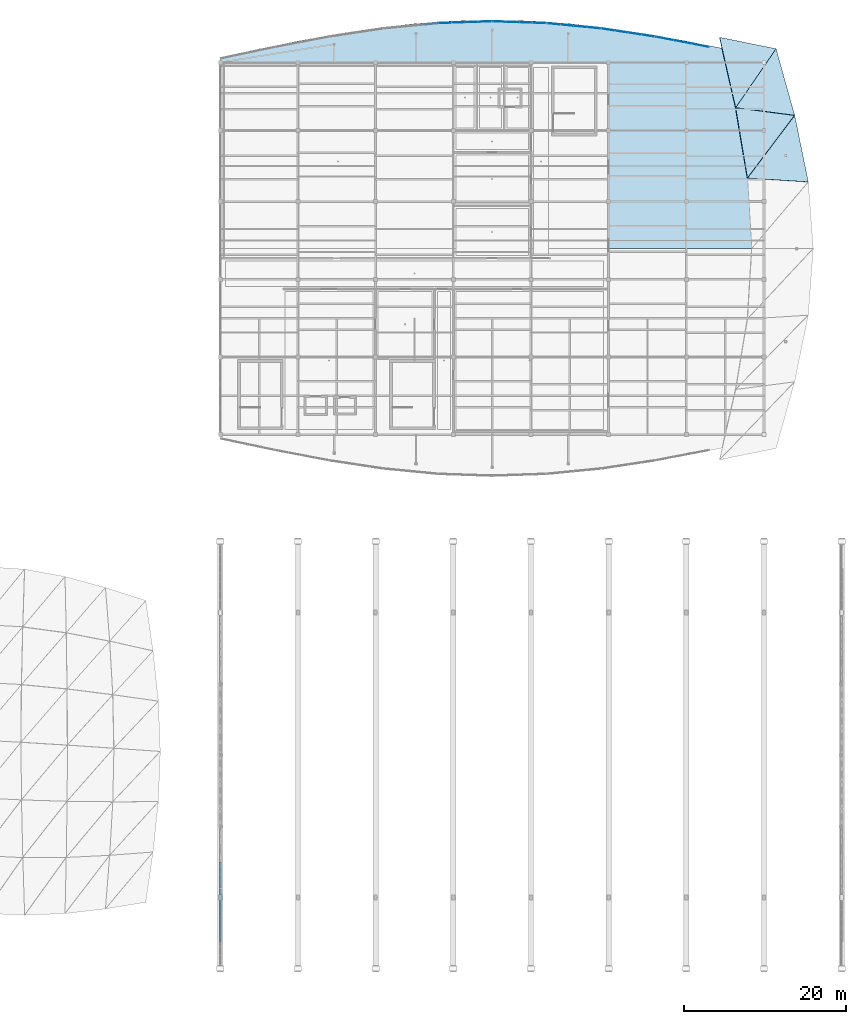
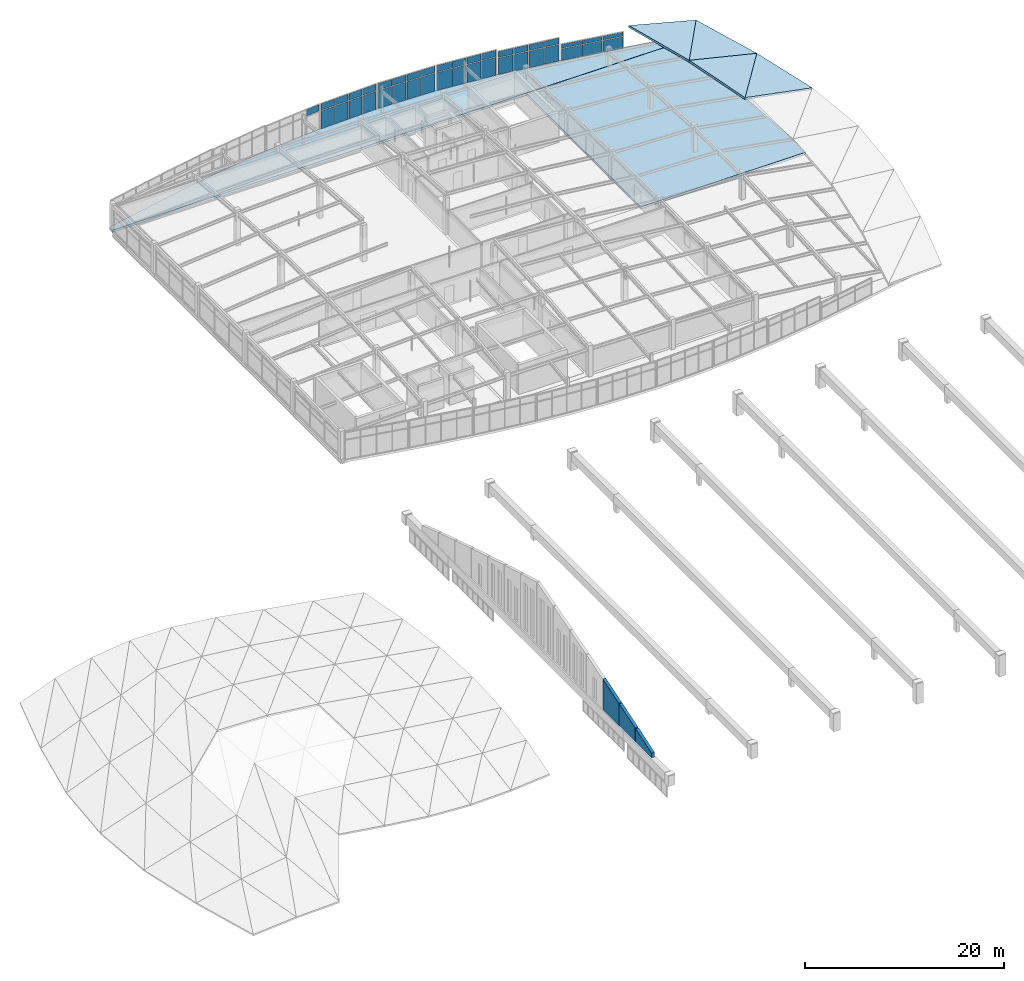
# One storey, part 57 of 65: 39 plates, 6 slabs, 3 walls, 6 elements without a shape of their own.
"""IFC4 building model written with IfcOpenShell, lengths in metres."""

from ifc_helpers import new_model, si_unit, direction, frame, origin, origin_2d, place, context, subcontext, project, spatial, polyline, rectangle, outline, extrude, material, layer, layer_set, type_object, element, aggregate, save


model = new_model("IFC4")

# Units and contexts
model_context = context("Model", 3, precision=1e-05, world=origin(), true_north=direction((0.0, 1.0)))
body_context = subcontext(model_context, "Body", "Model", "MODEL_VIEW")
ifc_project = project(units=[si_unit("LENGTHUNIT", "METRE"), si_unit("AREAUNIT", "SQUARE_METRE"), si_unit("VOLUMEUNIT", "CUBIC_METRE"), si_unit("PLANEANGLEUNIT", "RADIAN"), si_unit("MASSUNIT", "GRAM", prefix="KILO")], contexts=[model_context])

# Site, building, storey
site_placement = place(None, origin())
site = spatial("IfcSite", under=ifc_project, at=site_placement, CompositionType="ELEMENT")
building_placement = place(site_placement, origin())
building = spatial("IfcBuilding", under=site, at=building_placement, Name="Chalmorin Arch Market", CompositionType="ELEMENT")
storey_placement = place(building_placement, frame((0.0, 0.0, 14.10009765625)))
storey = spatial("IfcBuildingStorey", under=building, at=storey_placement, Name="L03", CompositionType="ELEMENT", Elevation=14.10009765625)

# Slab
ifc_material_1 = material(Name="Concrete C40/50", Category="concrete")
ifc_layer_1 = layer(ifc_material_1, 0.300048828125)
ifc_layer_set_1 = layer_set([ifc_layer_1], Name="Concrete C40/50")
slab_type_1 = type_object("IfcSlabType", Name="RoofGardenDeckSlab-300", PredefinedType="FLOOR", material=ifc_layer_set_1)
slab_1_placement = place(storey_placement, frame((0.0, 0.0, -0.300048828125)))
element("IfcSlab", 1, at=slab_1_placement, inside=storey, type_object=slab_type_1, Name="ETS-300-125", PredefinedType="FLOOR", context=body_context, shape_type="SweptSolid", body=[
    extrude(outline(polyline([(96.02001953125, 95.010009765625), (115.179931640625, 95.010009765625), (115.179931640625, 118.0), (96.02001953125, 118.0), (96.02001953125, 95.010009765625)])), origin(), (0.0, 0.0, 1.0), 0.300048828125),
])

# Curtain wall, plate
ifc_material_2 = material(Name="Aluminium 6063-T6", Category="aluminium")
ifc_layer_2 = layer(ifc_material_2, 0.159912109375)
ifc_layer_set_2 = layer_set([ifc_layer_2], Name="Aluminium 6063-T6")
curtain_wall_type_1 = type_object("IfcCurtainWallType", Name="CulinaryStudioCurtainWall-CW3-6570x3230", PredefinedType="NOTDEFINED", material=ifc_layer_set_2)
curtain_wall_1_placement = place(storey_placement, origin())
curtain_wall_1 = element("IfcCurtainWall", 2, at=curtain_wall_1_placement, inside=storey, type_object=curtain_wall_type_1, Name="CW-03-132", PredefinedType="NOTDEFINED")
ifc_material_3 = material(Name="Powder-coated Aluminium Panel", Category="aluminium")
ifc_layer_3 = layer(ifc_material_3, 0.0400390625)
ifc_layer_set_3 = layer_set([ifc_layer_3], Name="Powder-coated Aluminium Panel")
plate_type_1 = type_object("IfcPlateType", Name="ShadowboxSpandrelPanel-40", PredefinedType="CURTAIN_PANEL", material=ifc_layer_set_3)
plate_1_placement = place(storey_placement, frame((73.972900390625, 122.7666015625, 2.3505859375), z_axis=(0.0, 0.0, 1.0), x_axis=(0.994521895368, 0.104528463268, 0.0)))
plate_1 = element("IfcPlate", 3, at=plate_1_placement, type_object=plate_type_1, Name="SP-40-132-04B", PredefinedType="CURTAIN_PANEL", context=body_context, shape_type="SweptSolid", body=[
    extrude(rectangle(XDim=1.56298828125, YDim=0.0400390625, at=origin_2d()), origin(), (0.0, 0.0, 1.0), 0.789306640625),
])
aggregate(curtain_wall_1, [plate_1])

# Curtain wall, plates
ifc_layer_4 = layer(ifc_material_2, 0.159912109375)
ifc_layer_set_4 = layer_set([ifc_layer_4], Name="Aluminium 6063-T6")
curtain_wall_type_2 = type_object("IfcCurtainWallType", Name="CulinaryStudioCurtainWall-CW3-6540x3220", PredefinedType="NOTDEFINED", material=ifc_layer_set_4)
curtain_wall_2_placement = place(storey_placement, origin())
curtain_wall_2 = element("IfcCurtainWall", 4, at=curtain_wall_2_placement, inside=storey, type_object=curtain_wall_type_2, Name="CW-03-135", PredefinedType="NOTDEFINED")
plate_2_placement = place(storey_placement, frame((75.787353515625, 122.885498046875, 2.34326171875), z_axis=(0.0, 0.0, 1.0), x_axis=(0.999390827019, 0.034899496703, 0.0)))
plate_2 = element("IfcPlate", 5, at=plate_2_placement, type_object=plate_type_1, Name="SP-40-135-01B", PredefinedType="CURTAIN_PANEL", context=body_context, shape_type="SweptSolid", body=[
    extrude(rectangle(XDim=1.555908203125, YDim=0.0400390625, at=origin_2d()), origin(), (0.0, 0.0, 1.0), 0.78662109375),
])
plate_3_placement = place(storey_placement, frame((77.422607421875, 122.940185546875, 2.34326171875), z_axis=(0.0, 0.0, 1.0), x_axis=(0.999390827019, 0.034899496703, 0.0)))
plate_3 = element("IfcPlate", 6, at=plate_3_placement, type_object=plate_type_1, Name="SP-40-135-02B", PredefinedType="CURTAIN_PANEL", context=body_context, shape_type="SweptSolid", body=[
    extrude(rectangle(XDim=1.555908203125, YDim=0.0400390625, at=origin_2d()), origin(), (0.0, 0.0, 1.0), 0.78662109375),
])
plate_4_placement = place(storey_placement, frame((79.0576171875, 122.994873046875, 2.34326171875), z_axis=(0.0, 0.0, 1.0), x_axis=(0.999390827019, 0.034899496703, 0.0)))
plate_4 = element("IfcPlate", 7, at=plate_4_placement, type_object=plate_type_1, Name="SP-40-135-03B", PredefinedType="CURTAIN_PANEL", context=body_context, shape_type="SweptSolid", body=[
    extrude(rectangle(XDim=1.555908203125, YDim=0.0400390625, at=origin_2d()), origin(), (0.0, 0.0, 1.0), 0.78662109375),
])
plate_5_placement = place(storey_placement, frame((80.692626953125, 123.049560546875, 2.34326171875), z_axis=(0.0, 0.0, 1.0), x_axis=(0.999390827019, 0.034899496703, 0.0)))
plate_5 = element("IfcPlate", 8, at=plate_5_placement, type_object=plate_type_1, Name="SP-40-135-04B", PredefinedType="CURTAIN_PANEL", context=body_context, shape_type="SweptSolid", body=[
    extrude(rectangle(XDim=1.555908203125, YDim=0.0400390625, at=origin_2d()), origin(), (0.0, 0.0, 1.0), 0.78662109375),
])

curtain_wall_3_placement = place(storey_placement, origin())
curtain_wall_3 = element("IfcCurtainWall", 9, at=curtain_wall_3_placement, inside=storey, type_object=curtain_wall_type_2, Name="CW-03-138", PredefinedType="NOTDEFINED")
plate_6_placement = place(storey_placement, frame((82.50732421875, 123.049560546875, 2.34326171875), z_axis=(0.0, 0.0, 1.0), x_axis=(0.999390827019, -0.034899496703, 0.0)))
plate_6 = element("IfcPlate", 10, at=plate_6_placement, type_object=plate_type_1, Name="SP-40-138-01B", PredefinedType="CURTAIN_PANEL", context=body_context, shape_type="SweptSolid", body=[
    extrude(rectangle(XDim=1.555908203125, YDim=0.0400390625, at=origin_2d()), origin(), (0.0, 0.0, 1.0), 0.78662109375),
])
plate_7_placement = place(storey_placement, frame((84.142578125, 122.994873046875, 2.34326171875), z_axis=(0.0, 0.0, 1.0), x_axis=(0.999390827019, -0.034899496703, 0.0)))
plate_7 = element("IfcPlate", 11, at=plate_7_placement, type_object=plate_type_1, Name="SP-40-138-02B", PredefinedType="CURTAIN_PANEL", context=body_context, shape_type="SweptSolid", body=[
    extrude(rectangle(XDim=1.555908203125, YDim=0.0400390625, at=origin_2d()), origin(), (0.0, 0.0, 1.0), 0.78662109375),
])
plate_8_placement = place(storey_placement, frame((85.777587890625, 122.940185546875, 2.34326171875), z_axis=(0.0, 0.0, 1.0), x_axis=(0.999390827019, -0.034899496703, 0.0)))
plate_8 = element("IfcPlate", 12, at=plate_8_placement, type_object=plate_type_1, Name="SP-40-138-03B", PredefinedType="CURTAIN_PANEL", context=body_context, shape_type="SweptSolid", body=[
    extrude(rectangle(XDim=1.555908203125, YDim=0.0400390625, at=origin_2d()), origin(), (0.0, 0.0, 1.0), 0.78662109375),
])
plate_9_placement = place(storey_placement, frame((87.41259765625, 122.885498046875, 2.34326171875), z_axis=(0.0, 0.0, 1.0), x_axis=(0.999390827019, -0.034899496703, 0.0)))
plate_9 = element("IfcPlate", 13, at=plate_9_placement, type_object=plate_type_1, Name="SP-40-138-04B", PredefinedType="CURTAIN_PANEL", context=body_context, shape_type="SweptSolid", body=[
    extrude(rectangle(XDim=1.555908203125, YDim=0.0400390625, at=origin_2d()), origin(), (0.0, 0.0, 1.0), 0.78662109375),
])

ifc_layer_5 = layer(ifc_material_2, 0.159912109375)
ifc_layer_set_5 = layer_set([ifc_layer_5], Name="Aluminium 6063-T6")
curtain_wall_type_3 = type_object("IfcCurtainWallType", Name="CulinaryStudioCurtainWall-CW3-6570x3220", PredefinedType="NOTDEFINED", material=ifc_layer_set_5)
curtain_wall_4_placement = place(storey_placement, origin())
curtain_wall_4 = element("IfcCurtainWall", 14, at=curtain_wall_4_placement, inside=storey, type_object=curtain_wall_type_3, Name="CW-03-141", PredefinedType="NOTDEFINED")
plate_10_placement = place(storey_placement, frame((89.227294921875, 122.7666015625, 2.34619140625), z_axis=(0.0, 0.0, 1.0), x_axis=(0.994521895368, -0.104528463268, 0.0)))
plate_10 = element("IfcPlate", 15, at=plate_10_placement, type_object=plate_type_1, Name="SP-40-141-01B", PredefinedType="CURTAIN_PANEL", context=body_context, shape_type="SweptSolid", body=[
    extrude(rectangle(XDim=1.56298828125, YDim=0.0400390625, at=origin_2d()), origin(), (0.0, 0.0, 1.0), 0.78759765625),
])
plate_11_placement = place(storey_placement, frame((90.8623046875, 122.607666015625, 2.34619140625), z_axis=(0.0, 0.0, 1.0), x_axis=(0.994521895368, -0.104528463268, 0.0)))
plate_11 = element("IfcPlate", 16, at=plate_11_placement, type_object=plate_type_1, Name="SP-40-141-02B", PredefinedType="CURTAIN_PANEL", context=body_context, shape_type="SweptSolid", body=[
    extrude(rectangle(XDim=1.56298828125, YDim=0.0400390625, at=origin_2d()), origin(), (0.0, 0.0, 1.0), 0.78759765625),
])
plate_12_placement = place(storey_placement, frame((92.49755859375, 122.448486328125, 2.34619140625), z_axis=(0.0, 0.0, 1.0), x_axis=(0.994521895368, -0.104528463268, 0.0)))
plate_12 = element("IfcPlate", 17, at=plate_12_placement, type_object=plate_type_1, Name="SP-40-141-03B", PredefinedType="CURTAIN_PANEL", context=body_context, shape_type="SweptSolid", body=[
    extrude(rectangle(XDim=1.56298828125, YDim=0.0400390625, at=origin_2d()), origin(), (0.0, 0.0, 1.0), 0.78759765625),
])
plate_13_placement = place(storey_placement, frame((94.1328125, 122.289306640625, 2.34619140625), z_axis=(0.0, 0.0, 1.0), x_axis=(0.994521895368, -0.104528463268, 0.0)))
plate_13 = element("IfcPlate", 18, at=plate_13_placement, type_object=plate_type_1, Name="SP-40-141-04B", PredefinedType="CURTAIN_PANEL", context=body_context, shape_type="SweptSolid", body=[
    extrude(rectangle(XDim=1.56298828125, YDim=0.0400390625, at=origin_2d()), origin(), (0.0, 0.0, 1.0), 0.78759765625),
])

ifc_layer_6 = layer(ifc_material_2, 0.159912109375)
ifc_layer_set_6 = layer_set([ifc_layer_6], Name="Aluminium 6063-T6")
curtain_wall_type_4 = type_object("IfcCurtainWallType", Name="CulinaryStudioCurtainWall-CW3-6620x2970", PredefinedType="NOTDEFINED", material=ifc_layer_set_6)
curtain_wall_5_placement = place(storey_placement, origin())
curtain_wall_5 = element("IfcCurtainWall", 19, at=curtain_wall_5_placement, inside=storey, type_object=curtain_wall_type_4, Name="CW-03-144", PredefinedType="NOTDEFINED")
plate_14_placement = place(storey_placement, frame((95.94677734375, 122.063720703125, 2.16552734375), z_axis=(0.0, 0.0, 1.0), x_axis=(0.987688340595, -0.15643446504, 0.0)))
plate_14 = element("IfcPlate", 20, at=plate_14_placement, type_object=plate_type_1, Name="SP-40-144-01B", PredefinedType="CURTAIN_PANEL", context=body_context, shape_type="SweptSolid", body=[
    extrude(rectangle(XDim=1.57421875, YDim=0.0400390625, at=origin_2d()), origin(), (0.0, 0.0, 1.0), 0.71728515625),
])
plate_15_placement = place(storey_placement, frame((97.582275390625, 121.816162109375, 2.16552734375), z_axis=(0.0, 0.0, 1.0), x_axis=(0.987688340595, -0.15643446504, 0.0)))
plate_15 = element("IfcPlate", 21, at=plate_15_placement, type_object=plate_type_1, Name="SP-40-144-02B", PredefinedType="CURTAIN_PANEL", context=body_context, shape_type="SweptSolid", body=[
    extrude(rectangle(XDim=1.57421875, YDim=0.0400390625, at=origin_2d()), origin(), (0.0, 0.0, 1.0), 0.71728515625),
])
plate_16_placement = place(storey_placement, frame((99.2177734375, 121.56884765625, 2.16552734375), z_axis=(0.0, 0.0, 1.0), x_axis=(0.987688340595, -0.15643446504, 0.0)))
plate_16 = element("IfcPlate", 22, at=plate_16_placement, type_object=plate_type_1, Name="SP-40-144-03B", PredefinedType="CURTAIN_PANEL", context=body_context, shape_type="SweptSolid", body=[
    extrude(rectangle(XDim=1.57421875, YDim=0.0400390625, at=origin_2d()), origin(), (0.0, 0.0, 1.0), 0.71728515625),
])
plate_17_placement = place(storey_placement, frame((100.853271484375, 121.3212890625, 2.16552734375), z_axis=(0.0, 0.0, 1.0), x_axis=(0.987688340595, -0.15643446504, 0.0)))
plate_17 = element("IfcPlate", 23, at=plate_17_placement, type_object=plate_type_1, Name="SP-40-144-04B", PredefinedType="CURTAIN_PANEL", context=body_context, shape_type="SweptSolid", body=[
    extrude(rectangle(XDim=1.57421875, YDim=0.0400390625, at=origin_2d()), origin(), (0.0, 0.0, 1.0), 0.71728515625),
])

ifc_layer_7 = layer(ifc_material_2, 0.159912109375)
ifc_layer_set_7 = layer_set([ifc_layer_7], Name="Aluminium 6063-T6")
curtain_wall_type_5 = type_object("IfcCurtainWallType", Name="CulinaryStudioCurtainWall-CW3-6660x2110", PredefinedType="NOTDEFINED", material=ifc_layer_set_7)
curtain_wall_6_placement = place(storey_placement, origin())
curtain_wall_6 = element("IfcCurtainWall", 24, at=curtain_wall_6_placement, inside=storey, type_object=curtain_wall_type_5, Name="CW-03-147", PredefinedType="NOTDEFINED")
plate_18_placement = place(storey_placement, frame((102.93896484375, 120.958984375, 1.546875), z_axis=(0.0, 0.0, 1.0), x_axis=(0.981627183448, -0.190808995377, 0.0)))
plate_18 = element("IfcPlate", 25, at=plate_18_placement, type_object=plate_type_1, Name="SP-40-147-01B", PredefinedType="CURTAIN_PANEL", context=body_context, shape_type="SweptSolid", body=[
    extrude(rectangle(XDim=2.140380859375, YDim=0.0400390625, at=origin_2d()), origin(), (0.0, 0.0, 1.0), 0.476806640625),
])
plate_19_placement = place(storey_placement, frame((105.1201171875, 120.54248046875, 1.546875), z_axis=(0.0, 0.0, 1.0), x_axis=(0.981627183448, -0.190808995377, 0.0)))
plate_19 = element("IfcPlate", 26, at=plate_19_placement, type_object=plate_type_1, Name="SP-40-147-02B", PredefinedType="CURTAIN_PANEL", context=body_context, shape_type="SweptSolid", body=[
    extrude(rectangle(XDim=2.140380859375, YDim=0.0400390625, at=origin_2d()), origin(), (0.0, 0.0, 1.0), 0.476806640625),
])
plate_20_placement = place(storey_placement, frame((107.301025390625, 120.126220703125, 1.546875), z_axis=(0.0, 0.0, 1.0), x_axis=(0.981627183448, -0.190808995377, 0.0)))
plate_20 = element("IfcPlate", 27, at=plate_20_placement, type_object=plate_type_1, Name="SP-40-147-03B", PredefinedType="CURTAIN_PANEL", context=body_context, shape_type="SweptSolid", body=[
    extrude(rectangle(XDim=2.140380859375, YDim=0.0400390625, at=origin_2d()), origin(), (0.0, 0.0, 1.0), 0.476806640625),
])

# Slabs
ifc_layer_8 = layer(ifc_material_1, 0.22509765625)
ifc_layer_set_8 = layer_set([ifc_layer_8], Name="Concrete C40/50")
slab_type_2 = type_object("IfcSlabType", Name="StudioSlopedRoofSlab-225", PredefinedType="ROOF", material=ifc_layer_set_8)
slab_2_placement = place(storey_placement, frame((113.156982421875, 103.70703125, 2.122802734375), z_axis=(0.151538047238, 0.051363660712, 0.987115998552), x_axis=(0.986988846645, -0.062168996795, -0.148283621604)))
element("IfcSlab", 28, at=slab_2_placement, inside=storey, type_object=slab_type_2, Name="RS-225-354", PredefinedType="ROOF", context=body_context, shape_type="SweptSolid", body=[
    extrude(outline(polyline([(0.0, 0.0), (7.6263269184462175, 8.326672684688674e-17), (5.477445712776318, 8.127005986512684), (0.0, 0.0)])), origin(), (0.0, 0.0, -1.0), 0.22509765625),
])
slab_3_placement = place(storey_placement, frame((113.156982421875, 103.70703125, 2.122802734375), z_axis=(0.157870864584, 0.046469506564, 0.986365741029), x_axis=(0.596193265814, 0.791793880997, -0.13272543017)))
element("IfcSlab", 29, at=slab_3_placement, inside=storey, type_object=slab_type_2, Name="RS-225-355", PredefinedType="ROOF", context=body_context, shape_type="SweptSolid", body=[
    extrude(outline(polyline([(0.0, 0.0), (9.800542731972792, 1.0824674490095276e-15), (6.048994506437869, 6.432443424115573), (0.0, 0.0)])), origin(), (0.0, 0.0, -1.0), 0.22509765625),
])
slab_4_placement = place(storey_placement, frame((111.699951171875, 112.4140625, 1.94580078125), z_axis=(0.159095157167, 0.056781060987, 0.985629059068), x_axis=(0.980332175671, -0.127176633204, -0.150913648527)))
element("IfcSlab", 30, at=slab_4_placement, inside=storey, type_object=slab_type_2, Name="RS-225-356", PredefinedType="ROOF", context=body_context, shape_type="SweptSolid", body=[
    extrude(outline(polyline([(0.0, 0.0), (7.4465053879629926, -4.163336342344337e-17), (4.160207953340709, 7.891888117389828), (0.0, 0.0)])), origin(), (0.0, 0.0, -1.0), 0.22509765625),
])
slab_5_placement = place(storey_placement, frame((111.699951171875, 112.4140625, 1.94580078125), z_axis=(0.143209481388, 0.067973415483, 0.987355386489), x_axis=(0.56045772233, 0.816686514038, -0.137514651109)))
element("IfcSlab", 31, at=slab_5_placement, inside=storey, type_object=slab_type_2, Name="RS-225-357", PredefinedType="ROOF", context=body_context, shape_type="SweptSolid", body=[
    extrude(outline(polyline([(0.0, 0.0), (8.92127951991406, -4.718447854656915e-16), (6.0383479230449995, 6.588429231390119), (0.0, 0.0)])), origin(), (0.0, 0.0, -1.0), 0.22509765625),
])
ifc_layer_9 = layer(ifc_material_1, 0.280029296875)
ifc_layer_set_9 = layer_set([ifc_layer_9], Name="Concrete C40/50")
slab_type_3 = type_object("IfcSlabType", Name="SuspendedFloorSlab-280", PredefinedType="FLOOR", material=ifc_layer_set_9)
slab_6_placement = place(storey_placement, frame((0.0, 0.0, -0.280029296875)))
element("IfcSlab", 32, at=slab_6_placement, inside=storey, type_object=slab_type_3, Name="FS-280-140", PredefinedType="FLOOR", context=body_context, shape_type="SweptSolid", body=[
    extrude(outline(polyline([(48.0, 118.02001953125), (48.0, 118.64990234375), (52.800048828125, 119.674072265625), (57.60009765625, 120.64599609375), (62.39990234375, 121.51806640625), (67.199951171875, 122.24609375), (72.0, 122.7939453125), (76.800048828125, 123.135009765625), (81.60009765625, 123.25), (86.39990234375, 123.135009765625), (91.199951171875, 122.7939453125), (96.0, 122.24609375), (100.800048828125, 121.51806640625), (105.60009765625, 120.64599609375), (110.39990234375, 119.674072265625), (115.199951171875, 118.64990234375), (115.199951171875, 118.02001953125), (48.0, 118.02001953125)])), origin(), (0.0, 0.0, 1.0), 0.280029296875),
])

# Plate
ifc_material_4 = material(Name="Low-E Tempered Glass", Category="glass")
ifc_layer_10 = layer(ifc_material_4, 0.028076171875)
ifc_layer_set_10 = layer_set([ifc_layer_10], Name="Low-E Tempered Glass")
plate_type_2 = type_object("IfcPlateType", Name="VisionIGUPanel-28", PredefinedType="CURTAIN_PANEL", material=ifc_layer_set_10)
plate_21_placement = place(storey_placement, frame((75.787353515625, 122.885498046875, 0.0498046875), z_axis=(0.0, 0.0, 1.0), x_axis=(0.999390827019, 0.034899496703, 0.0)))
plate_21 = element("IfcPlate", 33, at=plate_21_placement, type_object=plate_type_2, Name="GL-28-135-01A", PredefinedType="CURTAIN_PANEL", context=body_context, shape_type="SweptSolid", body=[
    extrude(rectangle(XDim=1.555908203125, YDim=0.028076171875, at=origin_2d()), origin(), (0.0, 0.0, 1.0), 2.203369140625),
])

plate_22_placement = place(storey_placement, frame((77.422607421875, 122.940185546875, 0.0498046875), z_axis=(0.0, 0.0, 1.0), x_axis=(0.999390827019, 0.034899496703, 0.0)))
plate_22 = element("IfcPlate", 34, at=plate_22_placement, type_object=plate_type_2, Name="GL-28-135-02A", PredefinedType="CURTAIN_PANEL", context=body_context, shape_type="SweptSolid", body=[
    extrude(rectangle(XDim=1.555908203125, YDim=0.028076171875, at=origin_2d()), origin(), (0.0, 0.0, 1.0), 2.203369140625),
])

plate_23_placement = place(storey_placement, frame((79.0576171875, 122.994873046875, 0.0498046875), z_axis=(0.0, 0.0, 1.0), x_axis=(0.999390827019, 0.034899496703, 0.0)))
plate_23 = element("IfcPlate", 35, at=plate_23_placement, type_object=plate_type_2, Name="GL-28-135-03A", PredefinedType="CURTAIN_PANEL", context=body_context, shape_type="SweptSolid", body=[
    extrude(rectangle(XDim=1.555908203125, YDim=0.028076171875, at=origin_2d()), origin(), (0.0, 0.0, 1.0), 2.203369140625),
])

plate_24_placement = place(storey_placement, frame((80.692626953125, 123.049560546875, 0.0498046875), z_axis=(0.0, 0.0, 1.0), x_axis=(0.999390827019, 0.034899496703, 0.0)))
plate_24 = element("IfcPlate", 36, at=plate_24_placement, type_object=plate_type_2, Name="GL-28-135-04A", PredefinedType="CURTAIN_PANEL", context=body_context, shape_type="SweptSolid", body=[
    extrude(rectangle(XDim=1.555908203125, YDim=0.028076171875, at=origin_2d()), origin(), (0.0, 0.0, 1.0), 2.203369140625),
])

aggregate(curtain_wall_2, [plate_21, plate_2, plate_22, plate_3, plate_23, plate_4, plate_24, plate_5])

plate_25_placement = place(storey_placement, frame((82.50732421875, 123.049560546875, 0.0498046875), z_axis=(0.0, 0.0, 1.0), x_axis=(0.999390827019, -0.034899496703, 0.0)))
plate_25 = element("IfcPlate", 37, at=plate_25_placement, type_object=plate_type_2, Name="GL-28-138-01A", PredefinedType="CURTAIN_PANEL", context=body_context, shape_type="SweptSolid", body=[
    extrude(rectangle(XDim=1.555908203125, YDim=0.028076171875, at=origin_2d()), origin(), (0.0, 0.0, 1.0), 2.203369140625),
])

plate_26_placement = place(storey_placement, frame((84.142578125, 122.994873046875, 0.0498046875), z_axis=(0.0, 0.0, 1.0), x_axis=(0.999390827019, -0.034899496703, 0.0)))
plate_26 = element("IfcPlate", 38, at=plate_26_placement, type_object=plate_type_2, Name="GL-28-138-02A", PredefinedType="CURTAIN_PANEL", context=body_context, shape_type="SweptSolid", body=[
    extrude(rectangle(XDim=1.555908203125, YDim=0.028076171875, at=origin_2d()), origin(), (0.0, 0.0, 1.0), 2.203369140625),
])

plate_27_placement = place(storey_placement, frame((85.777587890625, 122.940185546875, 0.0498046875), z_axis=(0.0, 0.0, 1.0), x_axis=(0.999390827019, -0.034899496703, 0.0)))
plate_27 = element("IfcPlate", 39, at=plate_27_placement, type_object=plate_type_2, Name="GL-28-138-03A", PredefinedType="CURTAIN_PANEL", context=body_context, shape_type="SweptSolid", body=[
    extrude(rectangle(XDim=1.555908203125, YDim=0.028076171875, at=origin_2d()), origin(), (0.0, 0.0, 1.0), 2.203369140625),
])

plate_28_placement = place(storey_placement, frame((87.41259765625, 122.885498046875, 0.0498046875), z_axis=(0.0, 0.0, 1.0), x_axis=(0.999390827019, -0.034899496703, 0.0)))
plate_28 = element("IfcPlate", 40, at=plate_28_placement, type_object=plate_type_2, Name="GL-28-138-04A", PredefinedType="CURTAIN_PANEL", context=body_context, shape_type="SweptSolid", body=[
    extrude(rectangle(XDim=1.555908203125, YDim=0.028076171875, at=origin_2d()), origin(), (0.0, 0.0, 1.0), 2.203369140625),
])

aggregate(curtain_wall_3, [plate_25, plate_6, plate_26, plate_7, plate_27, plate_8, plate_28, plate_9])

plate_29_placement = place(storey_placement, frame((89.227294921875, 122.7666015625, 0.0498046875), z_axis=(0.0, 0.0, 1.0), x_axis=(0.994521895368, -0.104528463268, 0.0)))
plate_29 = element("IfcPlate", 41, at=plate_29_placement, type_object=plate_type_2, Name="GL-28-141-01A", PredefinedType="CURTAIN_PANEL", context=body_context, shape_type="SweptSolid", body=[
    extrude(rectangle(XDim=1.56298828125, YDim=0.028076171875, at=origin_2d()), origin(), (0.0, 0.0, 1.0), 2.206298828125),
])

plate_30_placement = place(storey_placement, frame((90.8623046875, 122.607666015625, 0.0498046875), z_axis=(0.0, 0.0, 1.0), x_axis=(0.994521895368, -0.104528463268, 0.0)))
plate_30 = element("IfcPlate", 42, at=plate_30_placement, type_object=plate_type_2, Name="GL-28-141-02A", PredefinedType="CURTAIN_PANEL", context=body_context, shape_type="SweptSolid", body=[
    extrude(rectangle(XDim=1.56298828125, YDim=0.028076171875, at=origin_2d()), origin(), (0.0, 0.0, 1.0), 2.206298828125),
])

plate_31_placement = place(storey_placement, frame((92.49755859375, 122.448486328125, 0.0498046875), z_axis=(0.0, 0.0, 1.0), x_axis=(0.994521895368, -0.104528463268, 0.0)))
plate_31 = element("IfcPlate", 43, at=plate_31_placement, type_object=plate_type_2, Name="GL-28-141-03A", PredefinedType="CURTAIN_PANEL", context=body_context, shape_type="SweptSolid", body=[
    extrude(rectangle(XDim=1.56298828125, YDim=0.028076171875, at=origin_2d()), origin(), (0.0, 0.0, 1.0), 2.206298828125),
])

plate_32_placement = place(storey_placement, frame((94.1328125, 122.289306640625, 0.0498046875), z_axis=(0.0, 0.0, 1.0), x_axis=(0.994521895368, -0.104528463268, 0.0)))
plate_32 = element("IfcPlate", 44, at=plate_32_placement, type_object=plate_type_2, Name="GL-28-141-04A", PredefinedType="CURTAIN_PANEL", context=body_context, shape_type="SweptSolid", body=[
    extrude(rectangle(XDim=1.56298828125, YDim=0.028076171875, at=origin_2d()), origin(), (0.0, 0.0, 1.0), 2.206298828125),
])

aggregate(curtain_wall_4, [plate_29, plate_10, plate_30, plate_11, plate_31, plate_12, plate_32, plate_13])

plate_33_placement = place(storey_placement, frame((95.94677734375, 122.063720703125, 0.0498046875), z_axis=(0.0, 0.0, 1.0), x_axis=(0.987688340595, -0.15643446504, 0.0)))
plate_33 = element("IfcPlate", 45, at=plate_33_placement, type_object=plate_type_2, Name="GL-28-144-01A", PredefinedType="CURTAIN_PANEL", context=body_context, shape_type="SweptSolid", body=[
    extrude(rectangle(XDim=1.57421875, YDim=0.028076171875, at=origin_2d()), origin(), (0.0, 0.0, 1.0), 2.025634765625),
])

plate_34_placement = place(storey_placement, frame((97.582275390625, 121.816162109375, 0.0498046875), z_axis=(0.0, 0.0, 1.0), x_axis=(0.987688340595, -0.15643446504, 0.0)))
plate_34 = element("IfcPlate", 46, at=plate_34_placement, type_object=plate_type_2, Name="GL-28-144-02A", PredefinedType="CURTAIN_PANEL", context=body_context, shape_type="SweptSolid", body=[
    extrude(rectangle(XDim=1.57421875, YDim=0.028076171875, at=origin_2d()), origin(), (0.0, 0.0, 1.0), 2.025634765625),
])

plate_35_placement = place(storey_placement, frame((99.2177734375, 121.56884765625, 0.0498046875), z_axis=(0.0, 0.0, 1.0), x_axis=(0.987688340595, -0.15643446504, 0.0)))
plate_35 = element("IfcPlate", 47, at=plate_35_placement, type_object=plate_type_2, Name="GL-28-144-03A", PredefinedType="CURTAIN_PANEL", context=body_context, shape_type="SweptSolid", body=[
    extrude(rectangle(XDim=1.57421875, YDim=0.028076171875, at=origin_2d()), origin(), (0.0, 0.0, 1.0), 2.025634765625),
])

plate_36_placement = place(storey_placement, frame((100.853271484375, 121.3212890625, 0.0498046875), z_axis=(0.0, 0.0, 1.0), x_axis=(0.987688340595, -0.15643446504, 0.0)))
plate_36 = element("IfcPlate", 48, at=plate_36_placement, type_object=plate_type_2, Name="GL-28-144-04A", PredefinedType="CURTAIN_PANEL", context=body_context, shape_type="SweptSolid", body=[
    extrude(rectangle(XDim=1.57421875, YDim=0.028076171875, at=origin_2d()), origin(), (0.0, 0.0, 1.0), 2.025634765625),
])

aggregate(curtain_wall_5, [plate_33, plate_14, plate_34, plate_15, plate_35, plate_16, plate_36, plate_17])

plate_37_placement = place(storey_placement, frame((102.93896484375, 120.958984375, 0.0498046875), z_axis=(0.0, 0.0, 1.0), x_axis=(0.981627183448, -0.190808995377, 0.0)))
plate_37 = element("IfcPlate", 49, at=plate_37_placement, type_object=plate_type_2, Name="GL-28-147-01A", PredefinedType="CURTAIN_PANEL", context=body_context, shape_type="SweptSolid", body=[
    extrude(rectangle(XDim=2.140380859375, YDim=0.028076171875, at=origin_2d()), origin(), (0.0, 0.0, 1.0), 1.406982421875),
])

plate_38_placement = place(storey_placement, frame((105.1201171875, 120.54248046875, 0.0498046875), z_axis=(0.0, 0.0, 1.0), x_axis=(0.981627183448, -0.190808995377, 0.0)))
plate_38 = element("IfcPlate", 50, at=plate_38_placement, type_object=plate_type_2, Name="GL-28-147-02A", PredefinedType="CURTAIN_PANEL", context=body_context, shape_type="SweptSolid", body=[
    extrude(rectangle(XDim=2.140380859375, YDim=0.028076171875, at=origin_2d()), origin(), (0.0, 0.0, 1.0), 1.406982421875),
])

plate_39_placement = place(storey_placement, frame((107.301025390625, 120.126220703125, 0.0498046875), z_axis=(0.0, 0.0, 1.0), x_axis=(0.981627183448, -0.190808995377, 0.0)))
plate_39 = element("IfcPlate", 51, at=plate_39_placement, type_object=plate_type_2, Name="GL-28-147-03A", PredefinedType="CURTAIN_PANEL", context=body_context, shape_type="SweptSolid", body=[
    extrude(rectangle(XDim=2.140380859375, YDim=0.028076171875, at=origin_2d()), origin(), (0.0, 0.0, 1.0), 1.406982421875),
])

aggregate(curtain_wall_6, [plate_37, plate_18, plate_38, plate_19, plate_39, plate_20])

# Walls
ifc_material_5 = material(Name="Concrete C35/45", Category="concrete")
ifc_layer_11 = layer(ifc_material_5, 0.35009765625)
ifc_layer_set_11 = layer_set([ifc_layer_11], Name="Concrete C35/45")
wall_type = type_object("IfcWallType", Name="PlinthPerimeterWall-350", PredefinedType="SOLIDWALL", material=ifc_layer_set_11)
wall_1_placement = place(storey_placement, frame((48.0, 9.340087890625, 1.179931640625), z_axis=(0.0, 0.0, 1.0), x_axis=(0.0, 1.0, 0.0)))
element("IfcWall", 52, at=wall_1_placement, inside=storey, type_object=wall_type, Name="PPW-350-123", PredefinedType="SOLIDWALL", context=body_context, shape_type="SweptSolid", body=[
    extrude(outline(polyline([(0.0, 0.0), (3.219970703125, 0.0), (3.219970703125, 1.656982421875), (0.0, 0.5810546875), (0.0, 0.0)])), frame((0.0, 0.175048828125, 0.0), z_axis=(0.0, -1.0, 0.0), x_axis=(1.0, 0.0, 0.0)), (0.0, 0.0, 1.0), 0.35009765625),
])
wall_2_placement = place(storey_placement, frame((48.0, 12.639892578125, 1.179931640625), z_axis=(0.0, 0.0, 1.0), x_axis=(0.0, 1.0, 0.0)))
element("IfcWall", 53, at=wall_2_placement, inside=storey, type_object=wall_type, Name="PPW-350-124", PredefinedType="SOLIDWALL", context=body_context, shape_type="SweptSolid", body=[
    extrude(outline(polyline([(0.0, 0.0), (3.22021484375, 0.0), (3.219970703125, 2.707275390625), (0.0, 1.656982421875), (0.0, 0.0)])), frame((0.0, 0.175048828125, 0.0), z_axis=(0.0, -1.0, 0.0), x_axis=(1.0, 0.0, 0.0)), (0.0, 0.0, 1.0), 0.35009765625),
])
wall_3_placement = place(storey_placement, frame((48.0, 15.93994140625, 1.179931640625), z_axis=(0.0, 0.0, 1.0), x_axis=(0.0, 1.0, 0.0)))
element("IfcWall", 54, at=wall_3_placement, inside=storey, type_object=wall_type, Name="PPW-350-125", PredefinedType="SOLIDWALL", context=body_context, shape_type="SweptSolid", body=[
    extrude(outline(polyline([(0.0, 0.0), (3.219970703125, 0.0), (3.219970703125, 3.732421875), (0.0, 2.707275390625), (0.0, 0.0)])), frame((0.0, 0.175048828125, 0.0), z_axis=(0.0, -1.0, 0.0), x_axis=(1.0, 0.0, 0.0)), (0.0, 0.0, 1.0), 0.35009765625),
])

save(model, "model.ifc")
